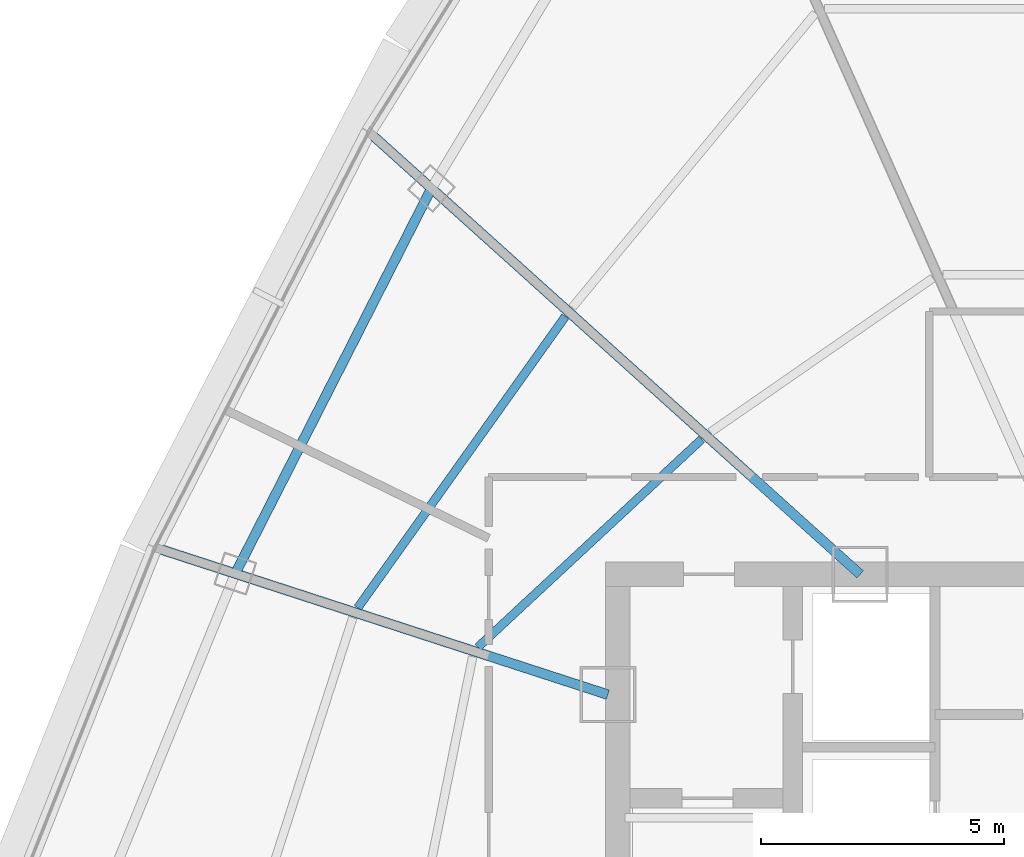
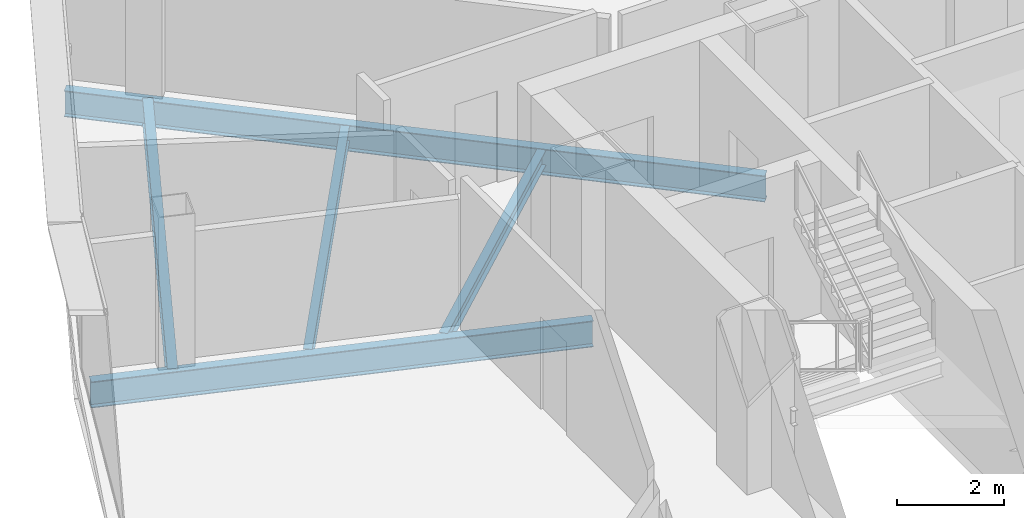
# One storey, part 7 of 29: 5 beams.
"""IFC4 building model written with IfcOpenShell, lengths in metres."""

from ifc_helpers import new_model, si_unit, direction, frame, origin, origin_2d, place, context, subcontext, project, spatial, i_section, extrude, source, transform, mapped, material, material_profile, profile_set, type_object, element, save


model = new_model("IFC4")

# Units and contexts
model_context = context("Model", 3, precision=1e-05, world=origin(), true_north=direction((0.0, 1.0)))
body_context = subcontext(model_context, "Body", "Model", "MODEL_VIEW")
ifc_project = project(units=[si_unit("LENGTHUNIT", "METRE"), si_unit("AREAUNIT", "SQUARE_METRE"), si_unit("VOLUMEUNIT", "CUBIC_METRE"), si_unit("PLANEANGLEUNIT", "RADIAN"), si_unit("MASSUNIT", "GRAM", prefix="KILO"), si_unit("THERMODYNAMICTEMPERATUREUNIT", "KELVIN"), si_unit("POWERUNIT", "WATT")], contexts=[model_context])

# Site, building, storey
site_placement = place(None, origin())
site = spatial("IfcSite", under=ifc_project, at=site_placement, CompositionType="ELEMENT")
building_placement = place(site_placement, origin())
building = spatial("IfcBuilding", under=site, at=building_placement, Name="Yunzhuo Pagoda Commons", CompositionType="ELEMENT")
storey_placement = place(building_placement, frame((0.0, 0.0, 359.260009765625)))
storey = spatial("IfcBuildingStorey", under=building, at=storey_placement, Name="L90", CompositionType="ELEMENT", Elevation=359.260009765625)

# Beams
ifc_material = material(Name="Structural steel Q355B", Category="steel")
ifc_material_profile_1 = material_profile(ifc_material, i_section(OverallWidth=0.199951171875, OverallDepth=0.60009765625, WebThickness=0.010986328125, FlangeThickness=0.01708984375, at=origin_2d()), Name="Structural steel Q355B")
ifc_profile_set_1 = profile_set([ifc_material_profile_1], Name="Structural steel Q355B")
beam_type_1 = type_object("IfcBeamType", Name="B-RG3 Beam HN 600x200x11x17", PredefinedType="BEAM", material=ifc_profile_set_1)
shared_shape_1 = source(origin(), body_context, "Body", "SweptSolid", [
    extrude(i_section(OverallWidth=0.199951171875, OverallDepth=0.60009765625, WebThickness=0.010986328125, FlangeThickness=0.01708984375, at=origin_2d()), origin(), (0.0, 0.0, 1.0), 8.87939453125),
])
beam_1_placement = place(storey_placement, frame((31.975341796875, 48.128662109375, -0.56005859375), z_axis=(-0.453723535687, -0.891142498798, 0.0), x_axis=(0.891142498798, -0.453723535687, 0.0)))
element("IfcBeam", 1, at=beam_1_placement, inside=storey, type_object=beam_type_1, Name="L90 column-ring beam 10", PredefinedType="BEAM", context=body_context, shape_type="MappedRepresentation", body=[
    mapped(shared_shape_1, transform((0.0, 0.0, 0.0), scale=1.0)),
])
ifc_material_profile_2 = material_profile(ifc_material, i_section(OverallWidth=0.175048828125, OverallDepth=0.35009765625, WebThickness=0.007080078125, FlangeThickness=0.010986328125, at=origin_2d()), Name="Structural steel Q355B")
ifc_profile_set_2 = profile_set([ifc_material_profile_2], Name="Structural steel Q355B")
beam_type_2 = type_object("IfcBeamType", Name="B-JS2 Joist HN 350x175x7x11", PredefinedType="JOIST", material=ifc_profile_set_2)
shared_shape_2 = source(origin(), body_context, "Body", "SweptSolid", [
    extrude(i_section(OverallWidth=0.175048828125, OverallDepth=0.35009765625, WebThickness=0.007080078125, FlangeThickness=0.010986328125, at=origin_2d()), origin(), (0.0, 0.0, 1.0), 6.277099609375),
])
beam_2_placement = place(storey_placement, frame((37.526611328125, 42.97607421875, -0.43505859375), z_axis=(-0.73244154109, -0.68082992655, 0.0), x_axis=(0.68082992655, -0.73244154109, 0.0)))
element("IfcBeam", 2, at=beam_2_placement, inside=storey, type_object=beam_type_2, Name="L90 composite ring joist 1.10", PredefinedType="JOIST", context=body_context, shape_type="MappedRepresentation", body=[
    mapped(shared_shape_2, transform((0.0, 0.0, 0.0), scale=1.0)),
])
shared_shape_3 = source(origin(), body_context, "Body", "SweptSolid", [
    extrude(i_section(OverallWidth=0.175048828125, OverallDepth=0.35009765625, WebThickness=0.007080078125, FlangeThickness=0.010986328125, at=origin_2d()), origin(), (0.0, 0.0, 1.0), 7.347900390625),
])
beam_3_placement = place(storey_placement, frame((34.726318359375, 45.497802734375, -0.43505859375), z_axis=(-0.580294898948, -0.814406428177, 0.0), x_axis=(0.814406428177, -0.580294898948, 0.0)))
element("IfcBeam", 3, at=beam_3_placement, inside=storey, type_object=beam_type_2, Name="L90 composite ring joist 2.10", PredefinedType="JOIST", context=body_context, shape_type="MappedRepresentation", body=[
    mapped(shared_shape_3, transform((0.0, 0.0, 0.0), scale=1.0)),
])
shared_shape_4 = source(origin(), body_context, "Body", "SweptSolid", [
    extrude(i_section(OverallWidth=0.199951171875, OverallDepth=0.60009765625, WebThickness=0.010986328125, FlangeThickness=0.01708984375, at=origin_2d()), origin(), (0.0, 0.0, 1.0), 9.62841796875),
])
beam_4_placement = place(storey_placement, frame((26.44287109375, 40.704345703125, -0.56005859375), z_axis=(0.951057171816, -0.309014976883, 0.0), x_axis=(0.309014976883, 0.951057171816, 0.0)))
element("IfcBeam", 4, at=beam_4_placement, inside=storey, type_object=beam_type_1, Name="L90 radial floor girder F3C3", PredefinedType="BEAM", context=body_context, shape_type="MappedRepresentation", body=[
    mapped(shared_shape_4, transform((0.0, 0.0, 0.0), scale=1.0)),
])
shared_shape_5 = source(origin(), body_context, "Body", "SweptSolid", [
    extrude(i_section(OverallWidth=0.199951171875, OverallDepth=0.60009765625, WebThickness=0.010986328125, FlangeThickness=0.01708984375, at=origin_2d()), origin(), (0.0, 0.0, 1.0), 13.429931640625),
])
beam_5_placement = place(storey_placement, frame((30.800537109375, 49.186279296875, -0.56005859375), z_axis=(0.743149501928, -0.669125412597, 0.0), x_axis=(0.669125412597, 0.743149501928, 0.0)))
element("IfcBeam", 5, at=beam_5_placement, inside=storey, type_object=beam_type_1, Name="L90 radial floor girder F3C2", PredefinedType="BEAM", context=body_context, shape_type="MappedRepresentation", body=[
    mapped(shared_shape_5, transform((0.0, 0.0, 0.0), scale=1.0)),
])

save(model, "model.ifc")
